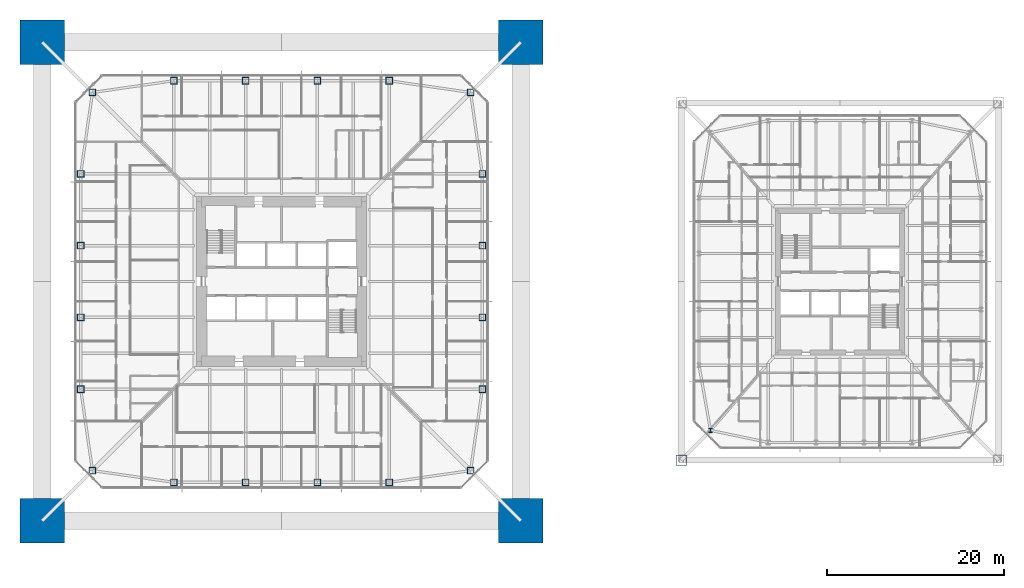
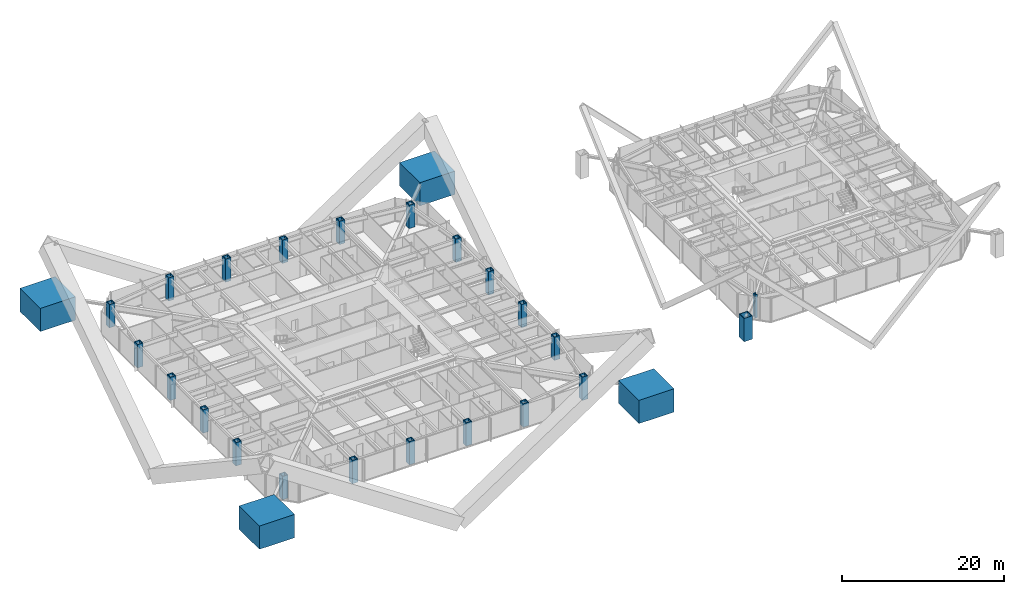
# One storey, part 1 of 27: 26 columns.
"""IFC4 building model written with IfcOpenShell, lengths in metres."""

from ifc_helpers import new_model, si_unit, direction, frame, origin, origin_2d, place, context, subcontext, project, spatial, rectangle, hollow_rectangle, i_section, extrude, material, material_profile, profile_set, type_object, element, save


model = new_model("IFC4")

# Units and contexts
model_context = context("Model", 3, precision=1e-05, world=origin(), true_north=direction((0.0, 1.0)))
body_context = subcontext(model_context, "Body", "Model", "MODEL_VIEW")
ifc_project = project(units=[si_unit("LENGTHUNIT", "METRE"), si_unit("AREAUNIT", "SQUARE_METRE"), si_unit("VOLUMEUNIT", "CUBIC_METRE"), si_unit("PLANEANGLEUNIT", "RADIAN"), si_unit("MASSUNIT", "GRAM", prefix="KILO")], contexts=[model_context])

# Site, building, storey
site_placement = place(None, origin())
site = spatial("IfcSite", under=ifc_project, at=site_placement, CompositionType="ELEMENT")
building_placement = place(site_placement, origin())
building = spatial("IfcBuilding", under=site, at=building_placement, Name="Iwan Alto Co-Living Towers", CompositionType="ELEMENT")
storey_placement = place(building_placement, frame((0.0, 0.0, 25.5)))
storey = spatial("IfcBuildingStorey", under=building, at=storey_placement, Name="L06", CompositionType="ELEMENT", Elevation=25.5)

# Columns
ifc_material_1 = material(Name="Concrete f'c 70 MPa", Category="concrete")
ifc_material_profile_1 = material_profile(ifc_material_1, rectangle(XDim=5.0, YDim=5.0, at=origin_2d()), Name="RC 5000X5000")
ifc_profile_set_1 = profile_set([ifc_material_profile_1], Name="Concrete f'c 70 MPa")
column_type_1 = type_object("IfcColumnType", Name="T1 MEGA COLUMN RC 5000X5000", PredefinedType="COLUMN", material=ifc_profile_set_1)
for number, where, z_axis, x_axis, name in (
    (1, (-27.0, -27.0, 0.0), (0.0, 0.0, 1.0), (1.0, 0.0, 0.0), "T1 mega column SW L06"),
    (2, (27.0, -27.0, 0.0), (0.0, 0.0, 1.0), (1.0, 0.0, 0.0), "T1 mega column SE L06"),
    (3, (27.0, 27.0, 0.0), (0.0, 0.0, 1.0), (1.0, 0.0, 0.0), "T1 mega column NE L06"),
    (4, (-27.0, 27.0, 0.0), (0.0, 0.0, 1.0), (1.0, 0.0, 0.0), "T1 mega column NW L06"),
):
    element("IfcColumn", number, at=place(storey_placement, frame(where, z_axis=z_axis, x_axis=x_axis)), inside=storey, type_object=column_type_1, Name=name, PredefinedType="COLUMN", context=body_context, shape_type="SweptSolid", body=[
        extrude(rectangle(XDim=5.0, YDim=5.0, at=origin_2d()), origin(), (0.0, 0.0, 1.0), 3.5),
        extrude(i_section(OverallWidth=0.4775390625, OverallDepth=0.599365234375, WebThickness=0.10009765625, FlangeThickness=0.139892578125, at=origin_2d()), origin(), (0.0, 0.0, 1.0), 3.5),
    ])
ifc_material_2 = material(Name="Steel ASTM A572 Gr 50", Category="steel")
ifc_material_profile_2 = material_profile(ifc_material_2, hollow_rectangle(XDim=0.800048828125, YDim=0.800048828125, WallThickness=0.090087890625, at=origin_2d()), Name="BOX 800X800X90")
ifc_profile_set_2 = profile_set([ifc_material_profile_2], Name="Steel ASTM A572 Gr 50")
column_type_2 = type_object("IfcColumnType", Name="T1 RING COLUMN BOX 800X800X90", PredefinedType="COLUMN", material=ifc_profile_set_2)
for number, where, z_axis, x_axis, name in (
    (5, (-21.32568359375, -21.32568359375, 0.0), (0.0, 0.0, 1.0), (1.0, 0.0, 0.0), "T1 ring column CSW L06"),
    (6, (-12.14990234375, -22.64990234375, 0.0), (0.0, 0.0, 1.0), (1.0, 0.0, 0.0), "T1 ring column S1 L06"),
    (7, (-4.050048828125, -22.64990234375, 0.0), (0.0, 0.0, 1.0), (1.0, 0.0, 0.0), "T1 ring column S2 L06"),
    (8, (4.050048828125, -22.64990234375, 0.0), (0.0, 0.0, 1.0), (1.0, 0.0, 0.0), "T1 ring column S3 L06"),
    (9, (12.14990234375, -22.64990234375, 0.0), (0.0, 0.0, 1.0), (1.0, 0.0, 0.0), "T1 ring column S4 L06"),
    (10, (21.32568359375, -21.32568359375, 0.0), (0.0, 0.0, 1.0), (1.0, 0.0, 0.0), "T1 ring column CSE L06"),
    (11, (22.64990234375, -12.14990234375, 0.0), (0.0, 0.0, 1.0), (1.0, 0.0, 0.0), "T1 ring column E1 L06"),
    (12, (22.64990234375, -4.050048828125, 0.0), (0.0, 0.0, 1.0), (1.0, 0.0, 0.0), "T1 ring column E2 L06"),
    (13, (22.64990234375, 4.050048828125, 0.0), (0.0, 0.0, 1.0), (1.0, 0.0, 0.0), "T1 ring column E3 L06"),
    (14, (22.64990234375, 12.14990234375, 0.0), (0.0, 0.0, 1.0), (1.0, 0.0, 0.0), "T1 ring column E4 L06"),
    (15, (21.32568359375, 21.32568359375, 0.0), (0.0, 0.0, 1.0), (1.0, 0.0, 0.0), "T1 ring column CNE L06"),
    (16, (12.14990234375, 22.64990234375, 0.0), (0.0, 0.0, 1.0), (1.0, 0.0, 0.0), "T1 ring column N1 L06"),
    (17, (4.050048828125, 22.64990234375, 0.0), (0.0, 0.0, 1.0), (1.0, 0.0, 0.0), "T1 ring column N2 L06"),
    (18, (-4.050048828125, 22.64990234375, 0.0), (0.0, 0.0, 1.0), (1.0, 0.0, 0.0), "T1 ring column N3 L06"),
    (19, (-12.14990234375, 22.64990234375, 0.0), (0.0, 0.0, 1.0), (1.0, 0.0, 0.0), "T1 ring column N4 L06"),
    (20, (-21.32568359375, 21.32568359375, 0.0), (0.0, 0.0, 1.0), (1.0, 0.0, 0.0), "T1 ring column CNW L06"),
    (21, (-22.64990234375, 12.14990234375, 0.0), (0.0, 0.0, 1.0), (1.0, 0.0, 0.0), "T1 ring column W1 L06"),
    (22, (-22.64990234375, 4.050048828125, 0.0), (0.0, 0.0, 1.0), (1.0, 0.0, 0.0), "T1 ring column W2 L06"),
    (23, (-22.64990234375, -4.050048828125, 0.0), (0.0, 0.0, 1.0), (1.0, 0.0, 0.0), "T1 ring column W3 L06"),
    (24, (-22.64990234375, -12.14990234375, 0.0), (0.0, 0.0, 1.0), (1.0, 0.0, 0.0), "T1 ring column W4 L06"),
):
    element("IfcColumn", number, at=place(storey_placement, frame(where, z_axis=z_axis, x_axis=x_axis)), inside=storey, type_object=column_type_2, Name=name, PredefinedType="COLUMN", context=body_context, shape_type="SweptSolid", body=[
        extrude(hollow_rectangle(XDim=0.800048828125, YDim=0.800048828125, WallThickness=0.090087890625, at=origin_2d()), origin(), (0.0, 0.0, 1.0), 3.5),
    ])
ifc_material_3 = material(Name="Steel ASTM A572 Gr 50", Category="steel")
ifc_material_profile_3 = material_profile(ifc_material_3, hollow_rectangle(XDim=1.199951171875, YDim=1.199951171875, WallThickness=0.070068359375, at=origin_2d()), Name="BOX 1200X1200X70")
ifc_profile_set_3 = profile_set([ifc_material_profile_3], Name="Steel ASTM A572 Gr 50")
column_type_3 = type_object("IfcColumnType", Name="T2 MEGA COLUMN BOX 1200X1200X70", PredefinedType="COLUMN", material=ifc_profile_set_3)
column_1_placement = place(storey_placement, frame((45.10009765625, -20.14990234375, 0.0), z_axis=(0.0, 0.0, 1.0), x_axis=(1.0, 0.0, 0.0)))
element("IfcColumn", 25, at=column_1_placement, inside=storey, type_object=column_type_3, Name="T2 mega column SW L06", PredefinedType="COLUMN", context=body_context, shape_type="SweptSolid", body=[
    extrude(hollow_rectangle(XDim=1.199951171875, YDim=1.199951171875, WallThickness=0.070068359375, at=origin_2d()), origin(), (0.0, 0.0, 1.0), 3.5),
])
ifc_material_4 = material(Name="Steel ASTM A992 Gr 50", Category="steel")
ifc_material_profile_4 = material_profile(ifc_material_4, i_section(OverallWidth=0.424072265625, OverallDepth=0.47509765625, WebThickness=0.0478515625, FlangeThickness=0.0771484375, at=origin_2d()), Name="W14X426")
ifc_profile_set_4 = profile_set([ifc_material_profile_4], Name="Steel ASTM A992 Gr 50")
column_type_4 = type_object("IfcColumnType", Name="T2 RING COLUMN W14X426", PredefinedType="COLUMN", material=ifc_profile_set_4)
column_2_placement = place(storey_placement, frame((48.393798828125, -16.797119140625, 0.0), z_axis=(0.0, 0.0, 1.0), x_axis=(1.0, 0.0, 0.0)))
element("IfcColumn", 26, at=column_2_placement, inside=storey, type_object=column_type_4, Name="T2 ring column CSW L06", PredefinedType="COLUMN", context=body_context, shape_type="SweptSolid", body=[
    extrude(i_section(OverallWidth=0.424072265625, OverallDepth=0.47509765625, WebThickness=0.0478515625, FlangeThickness=0.0771484375, at=origin_2d()), origin(), (0.0, 0.0, 1.0), 3.5),
])

save(model, "model.ifc")
